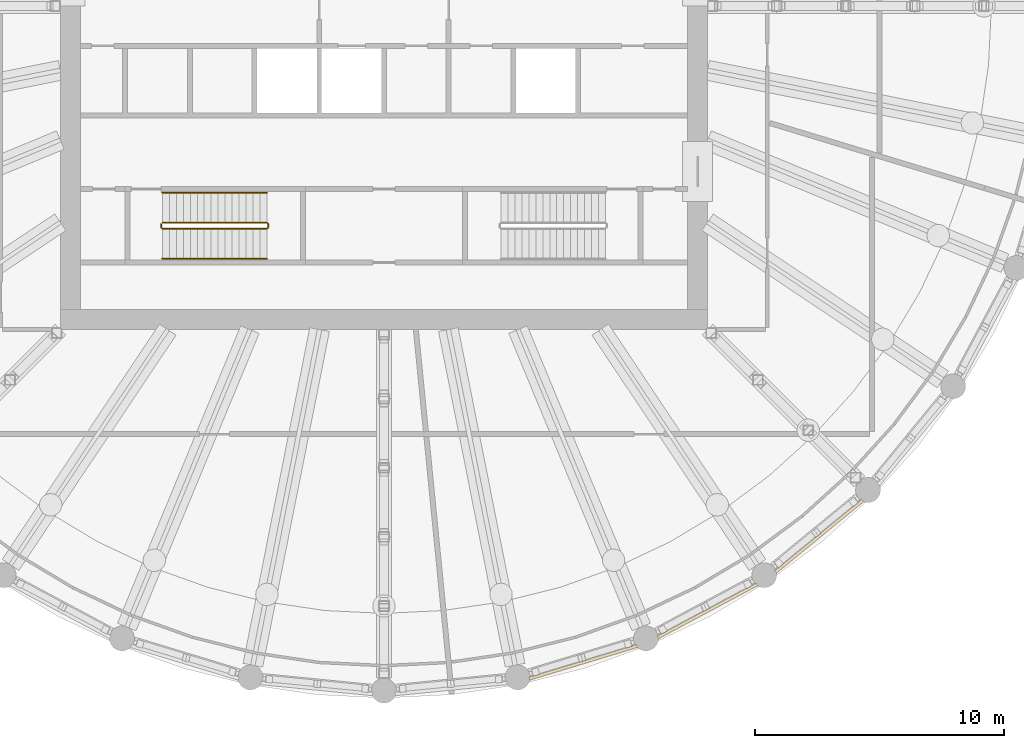
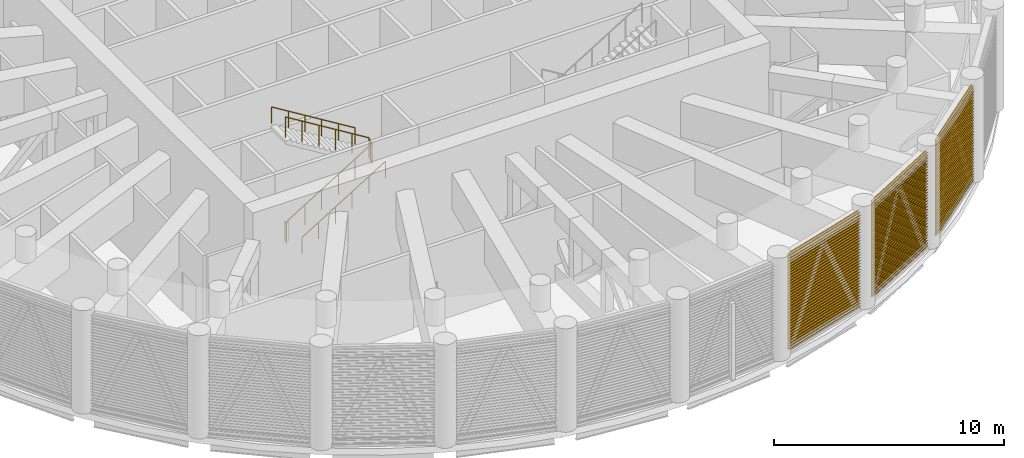
# One storey, part 19 of 24: 3 railings, 3 shading devices, 3 elements without a shape of their own.
"""IFC4 building model written with IfcOpenShell, lengths in metres."""

from ifc_helpers import new_model, si_unit, direction, frame, origin, origin_2d, place, context, subcontext, project, spatial, polyline, circle, outline, extrude, material, material_profile, profile_set, type_object, element, aggregate, save


model = new_model("IFC4")

# Units and contexts
model_context = context("Model", 3, precision=1e-05, world=origin(), true_north=direction((0.0, 1.0)))
body_context = subcontext(model_context, "Body", "Model", "MODEL_VIEW")
ifc_project = project(units=[si_unit("LENGTHUNIT", "METRE"), si_unit("AREAUNIT", "SQUARE_METRE"), si_unit("VOLUMEUNIT", "CUBIC_METRE"), si_unit("PLANEANGLEUNIT", "RADIAN"), si_unit("MASSUNIT", "GRAM", prefix="KILO")], contexts=[model_context])

# Site, building, storey
site_placement = place(None, origin())
site = spatial("IfcSite", under=ifc_project, at=site_placement, CompositionType="ELEMENT")
building_placement = place(site_placement, origin())
building = spatial("IfcBuilding", under=site, at=building_placement, Name="Corvane Civic Tower", CompositionType="ELEMENT")
storey_placement = place(building_placement, frame((0.0, 0.0, 257.5)))
storey = spatial("IfcBuildingStorey", under=building, at=storey_placement, Name="L61", CompositionType="ELEMENT", Elevation=257.5)

# Railings
ifc_material_1 = material(Name="Steel ASTM A572 Gr 50", Category="steel")
railing_type_1 = type_object("IfcRailingType", Name="ST-GUARD-1100", PredefinedType="GUARDRAIL", material=ifc_material_1)
railing_1_placement = place(storey_placement, frame((-8.949951171875, -8.75, 0.0)))
element("IfcRailing", 1, at=railing_1_placement, inside=storey, type_object=railing_type_1, Name="L61 ST3 stair guard 1", PredefinedType="GUARDRAIL", context=body_context, shape_type="SweptSolid", body=[
    extrude(circle(Radius=0.02392578125, at=origin_2d()), frame((0.0, 0.0, 1.076171875), z_axis=(0.0, -1.0, 0.0), x_axis=(1.0, 0.0, 0.0)), (0.0, 0.0, 1.0), 0.14990234375),
    extrude(circle(Radius=0.02392578125, at=origin_2d()), frame((0.0, -0.14990234375, 1.076171875), z_axis=(0.269255725606, -0.269255725606, 0.92466356501), x_axis=(0.707106781187, 0.707106781187, 0.0)), (0.0, 0.0, 1.0), 0.185791015625),
    extrude(circle(Radius=0.02392578125, at=origin_2d()), frame((0.050048828125, -0.199951171875, 1.248046875), z_axis=(0.852242915053, 0.0, 0.523146264196), x_axis=(0.0, 1.0, 0.0)), (0.0, 0.0, 1.0), 4.92822265625),
    extrude(circle(Radius=0.02392578125, at=origin_2d()), frame((4.25, -0.199951171875, 3.826171875), z_axis=(0.707106781187, 0.707106781187, 0.0), x_axis=(-0.707106781187, 0.707106781187, 0.0)), (0.0, 0.0, 1.0), 0.07080078125),
    extrude(circle(Radius=0.02392578125, at=origin_2d()), frame((4.300048828125, -0.14990234375, 3.826171875), z_axis=(0.0, 1.0, 0.0), x_axis=(-1.0, 0.0, 0.0)), (0.0, 0.0, 1.0), 0.14990234375),
    extrude(circle(Radius=0.02392578125, at=origin_2d()), frame((4.300048828125, 0.0, 3.826171875), z_axis=(-0.269255725606, 0.269255725606, 0.92466356501), x_axis=(-0.707106781187, -0.707106781187, 0.0)), (0.0, 0.0, 1.0), 0.185791015625),
    extrude(circle(Radius=0.02392578125, at=origin_2d()), frame((4.25, 0.050048828125, 3.998046875), z_axis=(-0.852242915053, 0.0, 0.523146264196), x_axis=(0.0, -1.0, 0.0)), (0.0, 0.0, 1.0), 4.92822265625),
    extrude(circle(Radius=0.02099609375, at=origin_2d()), origin(), (0.0, 0.0, 1.0), 1.052001953125),
    extrude(circle(Radius=0.02099609375, at=origin_2d()), frame((0.0, -0.14990234375, 0.0)), (0.0, 0.0, 1.0), 1.052001953125),
    extrude(circle(Radius=0.02099609375, at=origin_2d()), frame((0.050048828125, -0.199951171875, 0.171875)), (0.0, 0.0, 1.0), 1.052001953125),
    extrude(circle(Radius=0.02099609375, at=origin_2d()), frame((0.89013671875, -0.199951171875, 0.6875)), (0.0, 0.0, 1.0), 1.052001953125),
    extrude(circle(Radius=0.02099609375, at=origin_2d()), frame((1.72998046875, -0.199951171875, 1.203125)), (0.0, 0.0, 1.0), 1.052001953125),
    extrude(circle(Radius=0.02099609375, at=origin_2d()), frame((2.570068359375, -0.199951171875, 1.71875)), (0.0, 0.0, 1.0), 1.052001953125),
    extrude(circle(Radius=0.02099609375, at=origin_2d()), frame((3.409912109375, -0.199951171875, 2.234375)), (0.0, 0.0, 1.0), 1.052001953125),
    extrude(circle(Radius=0.02099609375, at=origin_2d()), frame((4.25, -0.199951171875, 2.75)), (0.0, 0.0, 1.0), 1.052001953125),
    extrude(circle(Radius=0.02099609375, at=origin_2d()), frame((4.300048828125, -0.14990234375, 2.75)), (0.0, 0.0, 1.0), 1.052001953125),
    extrude(circle(Radius=0.02099609375, at=origin_2d()), frame((4.300048828125, 0.0, 2.75)), (0.0, 0.0, 1.0), 1.052001953125),
    extrude(circle(Radius=0.02099609375, at=origin_2d()), frame((4.25, 0.050048828125, 2.921875)), (0.0, 0.0, 1.0), 1.052001953125),
    extrude(circle(Radius=0.02099609375, at=origin_2d()), frame((3.409912109375, 0.050048828125, 3.4375)), (0.0, 0.0, 1.0), 1.052001953125),
    extrude(circle(Radius=0.02099609375, at=origin_2d()), frame((2.570068359375, 0.050048828125, 3.953125)), (0.0, 0.0, 1.0), 1.052001953125),
    extrude(circle(Radius=0.02099609375, at=origin_2d()), frame((1.72998046875, 0.050048828125, 4.46875)), (0.0, 0.0, 1.0), 1.052001953125),
    extrude(circle(Radius=0.02099609375, at=origin_2d()), frame((0.89013671875, 0.050048828125, 4.984375)), (0.0, 0.0, 1.0), 1.052001953125),
    extrude(circle(Radius=0.02099609375, at=origin_2d()), frame((0.050048828125, 0.050048828125, 5.5)), (0.0, 0.0, 1.0), 1.052001953125),
])
ifc_material_2 = material(Name="Steel ASTM A572 Gr 50", Category="steel")
railing_type_2 = type_object("IfcRailingType", Name="ST-HANDRAIL-900", PredefinedType="HANDRAIL", material=ifc_material_2)
railing_2_placement = place(storey_placement, frame((-8.89990234375, -10.14990234375, 0.171875)))
element("IfcRailing", 2, at=railing_2_placement, inside=storey, type_object=railing_type_2, Name="L61 ST3 stair handrail 1", PredefinedType="HANDRAIL", context=body_context, shape_type="SweptSolid", body=[
    extrude(circle(Radius=0.02392578125, at=origin_2d()), frame((0.0, 0.0, 0.8759765625), z_axis=(0.852242915053, 0.0, 0.523146264196), x_axis=(0.0, 1.0, 0.0)), (0.0, 0.0, 1.0), 4.92822265625),
    extrude(circle(Radius=0.02099609375, at=origin_2d()), origin(), (0.0, 0.0, 1.0), 0.851806640625),
    extrude(circle(Radius=0.02099609375, at=origin_2d()), frame((0.840087890625, 0.0, 0.515625)), (0.0, 0.0, 1.0), 0.851806640625),
    extrude(circle(Radius=0.02099609375, at=origin_2d()), frame((1.679931640625, 0.0, 1.03125)), (0.0, 0.0, 1.0), 0.851806640625),
    extrude(circle(Radius=0.02099609375, at=origin_2d()), frame((2.52001953125, 0.0, 1.546875)), (0.0, 0.0, 1.0), 0.851806640625),
    extrude(circle(Radius=0.02099609375, at=origin_2d()), frame((3.35986328125, 0.0, 2.0625)), (0.0, 0.0, 1.0), 0.851806640625),
    extrude(circle(Radius=0.02099609375, at=origin_2d()), frame((4.199951171875, 0.0, 2.578125)), (0.0, 0.0, 1.0), 0.851806640625),
])
railing_3_placement = place(storey_placement, frame((-4.699951171875, -7.5, 2.921875)))
element("IfcRailing", 3, at=railing_3_placement, inside=storey, type_object=railing_type_2, Name="L61 ST3 stair handrail 2", PredefinedType="HANDRAIL", context=body_context, shape_type="SweptSolid", body=[
    extrude(circle(Radius=0.02392578125, at=origin_2d()), frame((0.0, 0.0, 0.8759765625), z_axis=(-0.852242915053, 0.0, 0.523146264196), x_axis=(0.0, -1.0, 0.0)), (0.0, 0.0, 1.0), 4.92822265625),
    extrude(circle(Radius=0.02099609375, at=origin_2d()), origin(), (0.0, 0.0, 1.0), 0.851806640625),
    extrude(circle(Radius=0.02099609375, at=origin_2d()), frame((-0.840087890625, 0.0, 0.515625)), (0.0, 0.0, 1.0), 0.851806640625),
    extrude(circle(Radius=0.02099609375, at=origin_2d()), frame((-1.679931640625, 0.0, 1.03125)), (0.0, 0.0, 1.0), 0.851806640625),
    extrude(circle(Radius=0.02099609375, at=origin_2d()), frame((-2.52001953125, 0.0, 1.546875)), (0.0, 0.0, 1.0), 0.851806640625),
    extrude(circle(Radius=0.02099609375, at=origin_2d()), frame((-3.35986328125, 0.0, 2.0625)), (0.0, 0.0, 1.0), 0.851806640625),
    extrude(circle(Radius=0.02099609375, at=origin_2d()), frame((-4.199951171875, 0.0, 2.578125)), (0.0, 0.0, 1.0), 0.851806640625),
])

# Curtain wall, shading device
ifc_material_3 = material(Name="Anodised aluminium bronze", Category="aluminium")
curtain_wall_type = type_object("IfcCurtainWallType", Name="TOWER CW-LV LOUVRE SCREEN WALL", PredefinedType="NOTDEFINED", material=ifc_material_3)
curtain_wall_1_placement = place(storey_placement, origin())
curtain_wall_1 = element("IfcCurtainWall", 4, at=curtain_wall_1_placement, inside=storey, type_object=curtain_wall_type, Name="Louvre screen wall CW-LV L61 bay 13", PredefinedType="NOTDEFINED")
ifc_material_4 = material(Name="Anodised aluminium bronze", Category="aluminium")
ifc_material_profile = material_profile(ifc_material_4, outline(polyline([(-0.06005859375, -2.56494140625), (-0.0400390625, -2.56494140625), (0.06005859375, -2.492919921875), (0.06005859375, -2.472900390625), (-0.0400390625, -2.544921875), (-0.0400390625, -2.4140625), (0.06005859375, -2.342041015625), (0.06005859375, -2.322021484375), (-0.0400390625, -2.39404296875), (-0.0400390625, -2.26318359375), (0.06005859375, -2.191162109375), (0.06005859375, -2.171142578125), (-0.0400390625, -2.2431640625), (-0.0400390625, -2.1123046875), (0.06005859375, -2.040283203125), (0.06005859375, -2.0205078125), (-0.0400390625, -2.09228515625), (-0.0400390625, -1.96142578125), (0.06005859375, -1.889404296875), (0.06005859375, -1.869384765625), (-0.0400390625, -1.94140625), (-0.0400390625, -1.810546875), (0.06005859375, -1.738525390625), (0.06005859375, -1.718505859375), (-0.0400390625, -1.79052734375), (-0.0400390625, -1.65966796875), (0.06005859375, -1.587646484375), (0.06005859375, -1.567626953125), (-0.0400390625, -1.6396484375), (-0.0400390625, -1.5087890625), (0.06005859375, -1.436767578125), (0.06005859375, -1.416748046875), (-0.0400390625, -1.48876953125), (-0.0400390625, -1.35791015625), (0.06005859375, -1.285888671875), (0.06005859375, -1.265869140625), (-0.0400390625, -1.337890625), (-0.0400390625, -1.20703125), (0.06005859375, -1.135009765625), (0.06005859375, -1.114990234375), (-0.0400390625, -1.18701171875), (-0.0400390625, -1.05615234375), (0.06005859375, -0.984130859375), (0.06005859375, -0.964111328125), (-0.0400390625, -1.0361328125), (-0.0400390625, -0.9052734375), (0.06005859375, -0.833251953125), (0.06005859375, -0.813232421875), (-0.0400390625, -0.88525390625), (-0.0400390625, -0.75439453125), (0.06005859375, -0.682373046875), (0.06005859375, -0.662353515625), (-0.0400390625, -0.734375), (-0.0400390625, -0.603515625), (0.06005859375, -0.531494140625), (0.06005859375, -0.511474609375), (-0.0400390625, -0.58349609375), (-0.0400390625, -0.45263671875), (0.06005859375, -0.380615234375), (0.06005859375, -0.360595703125), (-0.0400390625, -0.4326171875), (-0.0400390625, -0.3017578125), (0.06005859375, -0.229736328125), (0.06005859375, -0.209716796875), (-0.0400390625, -0.28173828125), (-0.0400390625, -0.15087890625), (0.06005859375, -0.078857421875), (0.06005859375, -0.058837890625), (-0.0400390625, -0.130859375), (-0.0400390625, 0.0), (0.06005859375, 0.072021484375), (0.06005859375, 0.092041015625), (-0.0400390625, 0.02001953125), (-0.0400390625, 0.15087890625), (0.06005859375, 0.222900390625), (0.06005859375, 0.242919921875), (-0.0400390625, 0.1708984375), (-0.0400390625, 0.3017578125), (0.06005859375, 0.373779296875), (0.06005859375, 0.393798828125), (-0.0400390625, 0.32177734375), (-0.0400390625, 0.45263671875), (0.06005859375, 0.524658203125), (0.06005859375, 0.544677734375), (-0.0400390625, 0.47265625), (-0.0400390625, 0.603515625), (0.06005859375, 0.675537109375), (0.06005859375, 0.695556640625), (-0.0400390625, 0.62353515625), (-0.0400390625, 0.75439453125), (0.06005859375, 0.826416015625), (0.06005859375, 0.846435546875), (-0.0400390625, 0.7744140625), (-0.0400390625, 0.9052734375), (0.06005859375, 0.977294921875), (0.06005859375, 0.997314453125), (-0.0400390625, 0.92529296875), (-0.0400390625, 1.05615234375), (0.06005859375, 1.128173828125), (0.06005859375, 1.148193359375), (-0.0400390625, 1.076171875), (-0.0400390625, 1.20703125), (0.06005859375, 1.279052734375), (0.06005859375, 1.299072265625), (-0.0400390625, 1.22705078125), (-0.0400390625, 1.35791015625), (0.06005859375, 1.429931640625), (0.06005859375, 1.449951171875), (-0.0400390625, 1.3779296875), (-0.0400390625, 1.5087890625), (0.06005859375, 1.580810546875), (0.06005859375, 1.600830078125), (-0.0400390625, 1.52880859375), (-0.0400390625, 1.65966796875), (0.06005859375, 1.731689453125), (0.06005859375, 1.751708984375), (-0.0400390625, 1.6796875), (-0.0400390625, 1.810546875), (0.06005859375, 1.882568359375), (0.06005859375, 1.902587890625), (-0.0400390625, 1.83056640625), (-0.0400390625, 1.96142578125), (0.06005859375, 2.033447265625), (0.06005859375, 2.053466796875), (-0.0400390625, 1.9814453125), (-0.0400390625, 2.1123046875), (0.06005859375, 2.184326171875), (0.06005859375, 2.204345703125), (-0.0400390625, 2.13232421875), (-0.0400390625, 2.26318359375), (0.06005859375, 2.335205078125), (0.06005859375, 2.355224609375), (-0.0400390625, 2.283203125), (-0.0400390625, 2.4140625), (0.06005859375, 2.486083984375), (0.06005859375, 2.506103515625), (-0.0400390625, 2.43408203125), (-0.0400390625, 2.56494140625), (-0.06005859375, 2.56494140625), (-0.06005859375, -2.56494140625)])), Name="TOWER LOUVRE BANK 5130 BRONZE")
ifc_profile_set = profile_set([ifc_material_profile], Name="Anodised aluminium bronze")
shading_device_type = type_object("IfcShadingDeviceType", Name="TOWER LOUVRE BANK 5130 BRONZE", PredefinedType="USERDEFINED", material=ifc_profile_set)
shading_device_1_placement = place(storey_placement, frame((19.221435546875, -19.861083984375, 2.68505859375), z_axis=(-0.773014925698, -0.634387834569, 0.0), x_axis=(0.634387834569, -0.773014925698, 0.0)))
shading_device_1 = element("IfcShadingDevice", 5, at=shading_device_1_placement, type_object=shading_device_type, Name="Louvre bank L61 13.1", ObjectType="LOUVRE", PredefinedType="USERDEFINED", context=body_context, shape_type="SweptSolid", body=[
    extrude(outline(polyline([(-0.06005859375, -2.56494140625), (-0.0400390625, -2.56494140625), (0.06005859375, -2.492919921875), (0.06005859375, -2.472900390625), (-0.0400390625, -2.544921875), (-0.0400390625, -2.4140625), (0.06005859375, -2.342041015625), (0.06005859375, -2.322021484375), (-0.0400390625, -2.39404296875), (-0.0400390625, -2.26318359375), (0.06005859375, -2.191162109375), (0.06005859375, -2.171142578125), (-0.0400390625, -2.2431640625), (-0.0400390625, -2.1123046875), (0.06005859375, -2.040283203125), (0.06005859375, -2.0205078125), (-0.0400390625, -2.09228515625), (-0.0400390625, -1.96142578125), (0.06005859375, -1.889404296875), (0.06005859375, -1.869384765625), (-0.0400390625, -1.94140625), (-0.0400390625, -1.810546875), (0.06005859375, -1.738525390625), (0.06005859375, -1.718505859375), (-0.0400390625, -1.79052734375), (-0.0400390625, -1.65966796875), (0.06005859375, -1.587646484375), (0.06005859375, -1.567626953125), (-0.0400390625, -1.6396484375), (-0.0400390625, -1.5087890625), (0.06005859375, -1.436767578125), (0.06005859375, -1.416748046875), (-0.0400390625, -1.48876953125), (-0.0400390625, -1.35791015625), (0.06005859375, -1.285888671875), (0.06005859375, -1.265869140625), (-0.0400390625, -1.337890625), (-0.0400390625, -1.20703125), (0.06005859375, -1.135009765625), (0.06005859375, -1.114990234375), (-0.0400390625, -1.18701171875), (-0.0400390625, -1.05615234375), (0.06005859375, -0.984130859375), (0.06005859375, -0.964111328125), (-0.0400390625, -1.0361328125), (-0.0400390625, -0.9052734375), (0.06005859375, -0.833251953125), (0.06005859375, -0.813232421875), (-0.0400390625, -0.88525390625), (-0.0400390625, -0.75439453125), (0.06005859375, -0.682373046875), (0.06005859375, -0.662353515625), (-0.0400390625, -0.734375), (-0.0400390625, -0.603515625), (0.06005859375, -0.531494140625), (0.06005859375, -0.511474609375), (-0.0400390625, -0.58349609375), (-0.0400390625, -0.45263671875), (0.06005859375, -0.380615234375), (0.06005859375, -0.360595703125), (-0.0400390625, -0.4326171875), (-0.0400390625, -0.3017578125), (0.06005859375, -0.229736328125), (0.06005859375, -0.209716796875), (-0.0400390625, -0.28173828125), (-0.0400390625, -0.15087890625), (0.06005859375, -0.078857421875), (0.06005859375, -0.058837890625), (-0.0400390625, -0.130859375), (-0.0400390625, 0.0), (0.06005859375, 0.072021484375), (0.06005859375, 0.092041015625), (-0.0400390625, 0.02001953125), (-0.0400390625, 0.15087890625), (0.06005859375, 0.222900390625), (0.06005859375, 0.242919921875), (-0.0400390625, 0.1708984375), (-0.0400390625, 0.3017578125), (0.06005859375, 0.373779296875), (0.06005859375, 0.393798828125), (-0.0400390625, 0.32177734375), (-0.0400390625, 0.45263671875), (0.06005859375, 0.524658203125), (0.06005859375, 0.544677734375), (-0.0400390625, 0.47265625), (-0.0400390625, 0.603515625), (0.06005859375, 0.675537109375), (0.06005859375, 0.695556640625), (-0.0400390625, 0.62353515625), (-0.0400390625, 0.75439453125), (0.06005859375, 0.826416015625), (0.06005859375, 0.846435546875), (-0.0400390625, 0.7744140625), (-0.0400390625, 0.9052734375), (0.06005859375, 0.977294921875), (0.06005859375, 0.997314453125), (-0.0400390625, 0.92529296875), (-0.0400390625, 1.05615234375), (0.06005859375, 1.128173828125), (0.06005859375, 1.148193359375), (-0.0400390625, 1.076171875), (-0.0400390625, 1.20703125), (0.06005859375, 1.279052734375), (0.06005859375, 1.299072265625), (-0.0400390625, 1.22705078125), (-0.0400390625, 1.35791015625), (0.06005859375, 1.429931640625), (0.06005859375, 1.449951171875), (-0.0400390625, 1.3779296875), (-0.0400390625, 1.5087890625), (0.06005859375, 1.580810546875), (0.06005859375, 1.600830078125), (-0.0400390625, 1.52880859375), (-0.0400390625, 1.65966796875), (0.06005859375, 1.731689453125), (0.06005859375, 1.751708984375), (-0.0400390625, 1.6796875), (-0.0400390625, 1.810546875), (0.06005859375, 1.882568359375), (0.06005859375, 1.902587890625), (-0.0400390625, 1.83056640625), (-0.0400390625, 1.96142578125), (0.06005859375, 2.033447265625), (0.06005859375, 2.053466796875), (-0.0400390625, 1.9814453125), (-0.0400390625, 2.1123046875), (0.06005859375, 2.184326171875), (0.06005859375, 2.204345703125), (-0.0400390625, 2.13232421875), (-0.0400390625, 2.26318359375), (0.06005859375, 2.335205078125), (0.06005859375, 2.355224609375), (-0.0400390625, 2.283203125), (-0.0400390625, 2.4140625), (0.06005859375, 2.486083984375), (0.06005859375, 2.506103515625), (-0.0400390625, 2.43408203125), (-0.0400390625, 2.56494140625), (-0.06005859375, 2.56494140625), (-0.06005859375, -2.56494140625)])), origin(), (0.0, 0.0, 1.0), 4.517333984375),
])
aggregate(curtain_wall_1, [shading_device_1])

curtain_wall_2_placement = place(storey_placement, origin())
curtain_wall_2 = element("IfcCurtainWall", 6, at=curtain_wall_2_placement, inside=storey, type_object=curtain_wall_type, Name="Louvre screen wall CW-LV L61 bay 14", PredefinedType="NOTDEFINED")
shading_device_2_placement = place(storey_placement, frame((14.977294921875, -23.2294921875, 2.68505859375), z_axis=(-0.881924695689, -0.471390317183, 0.0), x_axis=(0.471390317183, -0.881924695689, 0.0)))
shading_device_2 = element("IfcShadingDevice", 7, at=shading_device_2_placement, type_object=shading_device_type, Name="Louvre bank L61 14.1", ObjectType="LOUVRE", PredefinedType="USERDEFINED", context=body_context, shape_type="SweptSolid", body=[
    extrude(outline(polyline([(-0.06005859375, -2.56494140625), (-0.0400390625, -2.56494140625), (0.06005859375, -2.492919921875), (0.06005859375, -2.472900390625), (-0.0400390625, -2.544921875), (-0.0400390625, -2.4140625), (0.06005859375, -2.342041015625), (0.06005859375, -2.322021484375), (-0.0400390625, -2.39404296875), (-0.0400390625, -2.26318359375), (0.06005859375, -2.191162109375), (0.06005859375, -2.171142578125), (-0.0400390625, -2.2431640625), (-0.0400390625, -2.1123046875), (0.06005859375, -2.040283203125), (0.06005859375, -2.0205078125), (-0.0400390625, -2.09228515625), (-0.0400390625, -1.96142578125), (0.06005859375, -1.889404296875), (0.06005859375, -1.869384765625), (-0.0400390625, -1.94140625), (-0.0400390625, -1.810546875), (0.06005859375, -1.738525390625), (0.06005859375, -1.718505859375), (-0.0400390625, -1.79052734375), (-0.0400390625, -1.65966796875), (0.06005859375, -1.587646484375), (0.06005859375, -1.567626953125), (-0.0400390625, -1.6396484375), (-0.0400390625, -1.5087890625), (0.06005859375, -1.436767578125), (0.06005859375, -1.416748046875), (-0.0400390625, -1.48876953125), (-0.0400390625, -1.35791015625), (0.06005859375, -1.285888671875), (0.06005859375, -1.265869140625), (-0.0400390625, -1.337890625), (-0.0400390625, -1.20703125), (0.06005859375, -1.135009765625), (0.06005859375, -1.114990234375), (-0.0400390625, -1.18701171875), (-0.0400390625, -1.05615234375), (0.06005859375, -0.984130859375), (0.06005859375, -0.964111328125), (-0.0400390625, -1.0361328125), (-0.0400390625, -0.9052734375), (0.06005859375, -0.833251953125), (0.06005859375, -0.813232421875), (-0.0400390625, -0.88525390625), (-0.0400390625, -0.75439453125), (0.06005859375, -0.682373046875), (0.06005859375, -0.662353515625), (-0.0400390625, -0.734375), (-0.0400390625, -0.603515625), (0.06005859375, -0.531494140625), (0.06005859375, -0.511474609375), (-0.0400390625, -0.58349609375), (-0.0400390625, -0.45263671875), (0.06005859375, -0.380615234375), (0.06005859375, -0.360595703125), (-0.0400390625, -0.4326171875), (-0.0400390625, -0.3017578125), (0.06005859375, -0.229736328125), (0.06005859375, -0.209716796875), (-0.0400390625, -0.28173828125), (-0.0400390625, -0.15087890625), (0.06005859375, -0.078857421875), (0.06005859375, -0.058837890625), (-0.0400390625, -0.130859375), (-0.0400390625, 0.0), (0.06005859375, 0.072021484375), (0.06005859375, 0.092041015625), (-0.0400390625, 0.02001953125), (-0.0400390625, 0.15087890625), (0.06005859375, 0.222900390625), (0.06005859375, 0.242919921875), (-0.0400390625, 0.1708984375), (-0.0400390625, 0.3017578125), (0.06005859375, 0.373779296875), (0.06005859375, 0.393798828125), (-0.0400390625, 0.32177734375), (-0.0400390625, 0.45263671875), (0.06005859375, 0.524658203125), (0.06005859375, 0.544677734375), (-0.0400390625, 0.47265625), (-0.0400390625, 0.603515625), (0.06005859375, 0.675537109375), (0.06005859375, 0.695556640625), (-0.0400390625, 0.62353515625), (-0.0400390625, 0.75439453125), (0.06005859375, 0.826416015625), (0.06005859375, 0.846435546875), (-0.0400390625, 0.7744140625), (-0.0400390625, 0.9052734375), (0.06005859375, 0.977294921875), (0.06005859375, 0.997314453125), (-0.0400390625, 0.92529296875), (-0.0400390625, 1.05615234375), (0.06005859375, 1.128173828125), (0.06005859375, 1.148193359375), (-0.0400390625, 1.076171875), (-0.0400390625, 1.20703125), (0.06005859375, 1.279052734375), (0.06005859375, 1.299072265625), (-0.0400390625, 1.22705078125), (-0.0400390625, 1.35791015625), (0.06005859375, 1.429931640625), (0.06005859375, 1.449951171875), (-0.0400390625, 1.3779296875), (-0.0400390625, 1.5087890625), (0.06005859375, 1.580810546875), (0.06005859375, 1.600830078125), (-0.0400390625, 1.52880859375), (-0.0400390625, 1.65966796875), (0.06005859375, 1.731689453125), (0.06005859375, 1.751708984375), (-0.0400390625, 1.6796875), (-0.0400390625, 1.810546875), (0.06005859375, 1.882568359375), (0.06005859375, 1.902587890625), (-0.0400390625, 1.83056640625), (-0.0400390625, 1.96142578125), (0.06005859375, 2.033447265625), (0.06005859375, 2.053466796875), (-0.0400390625, 1.9814453125), (-0.0400390625, 2.1123046875), (0.06005859375, 2.184326171875), (0.06005859375, 2.204345703125), (-0.0400390625, 2.13232421875), (-0.0400390625, 2.26318359375), (0.06005859375, 2.335205078125), (0.06005859375, 2.355224609375), (-0.0400390625, 2.283203125), (-0.0400390625, 2.4140625), (0.06005859375, 2.486083984375), (0.06005859375, 2.506103515625), (-0.0400390625, 2.43408203125), (-0.0400390625, 2.56494140625), (-0.06005859375, 2.56494140625), (-0.06005859375, -2.56494140625)])), origin(), (0.0, 0.0, 1.0), 4.517333984375),
])
aggregate(curtain_wall_2, [shading_device_2])

curtain_wall_3_placement = place(storey_placement, origin())
curtain_wall_3 = element("IfcCurtainWall", 8, at=curtain_wall_3_placement, inside=storey, type_object=curtain_wall_type, Name="Louvre screen wall CW-LV L61 bay 15", PredefinedType="NOTDEFINED")
shading_device_3_placement = place(storey_placement, frame((10.15771484375, -25.705078125, 2.68505859375), z_axis=(-0.956941182173, -0.2902818869, 0.0), x_axis=(0.2902818869, -0.956941182173, 0.0)))
shading_device_3 = element("IfcShadingDevice", 9, at=shading_device_3_placement, type_object=shading_device_type, Name="Louvre bank L61 15.1", ObjectType="LOUVRE", PredefinedType="USERDEFINED", context=body_context, shape_type="SweptSolid", body=[
    extrude(outline(polyline([(-0.06005859375, -2.56494140625), (-0.0400390625, -2.56494140625), (0.06005859375, -2.492919921875), (0.06005859375, -2.472900390625), (-0.0400390625, -2.544921875), (-0.0400390625, -2.4140625), (0.06005859375, -2.342041015625), (0.06005859375, -2.322021484375), (-0.0400390625, -2.39404296875), (-0.0400390625, -2.26318359375), (0.06005859375, -2.191162109375), (0.06005859375, -2.171142578125), (-0.0400390625, -2.2431640625), (-0.0400390625, -2.1123046875), (0.06005859375, -2.040283203125), (0.06005859375, -2.0205078125), (-0.0400390625, -2.09228515625), (-0.0400390625, -1.96142578125), (0.06005859375, -1.889404296875), (0.06005859375, -1.869384765625), (-0.0400390625, -1.94140625), (-0.0400390625, -1.810546875), (0.06005859375, -1.738525390625), (0.06005859375, -1.718505859375), (-0.0400390625, -1.79052734375), (-0.0400390625, -1.65966796875), (0.06005859375, -1.587646484375), (0.06005859375, -1.567626953125), (-0.0400390625, -1.6396484375), (-0.0400390625, -1.5087890625), (0.06005859375, -1.436767578125), (0.06005859375, -1.416748046875), (-0.0400390625, -1.48876953125), (-0.0400390625, -1.35791015625), (0.06005859375, -1.285888671875), (0.06005859375, -1.265869140625), (-0.0400390625, -1.337890625), (-0.0400390625, -1.20703125), (0.06005859375, -1.135009765625), (0.06005859375, -1.114990234375), (-0.0400390625, -1.18701171875), (-0.0400390625, -1.05615234375), (0.06005859375, -0.984130859375), (0.06005859375, -0.964111328125), (-0.0400390625, -1.0361328125), (-0.0400390625, -0.9052734375), (0.06005859375, -0.833251953125), (0.06005859375, -0.813232421875), (-0.0400390625, -0.88525390625), (-0.0400390625, -0.75439453125), (0.06005859375, -0.682373046875), (0.06005859375, -0.662353515625), (-0.0400390625, -0.734375), (-0.0400390625, -0.603515625), (0.06005859375, -0.531494140625), (0.06005859375, -0.511474609375), (-0.0400390625, -0.58349609375), (-0.0400390625, -0.45263671875), (0.06005859375, -0.380615234375), (0.06005859375, -0.360595703125), (-0.0400390625, -0.4326171875), (-0.0400390625, -0.3017578125), (0.06005859375, -0.229736328125), (0.06005859375, -0.209716796875), (-0.0400390625, -0.28173828125), (-0.0400390625, -0.15087890625), (0.06005859375, -0.078857421875), (0.06005859375, -0.058837890625), (-0.0400390625, -0.130859375), (-0.0400390625, 0.0), (0.06005859375, 0.072021484375), (0.06005859375, 0.092041015625), (-0.0400390625, 0.02001953125), (-0.0400390625, 0.15087890625), (0.06005859375, 0.222900390625), (0.06005859375, 0.242919921875), (-0.0400390625, 0.1708984375), (-0.0400390625, 0.3017578125), (0.06005859375, 0.373779296875), (0.06005859375, 0.393798828125), (-0.0400390625, 0.32177734375), (-0.0400390625, 0.45263671875), (0.06005859375, 0.524658203125), (0.06005859375, 0.544677734375), (-0.0400390625, 0.47265625), (-0.0400390625, 0.603515625), (0.06005859375, 0.675537109375), (0.06005859375, 0.695556640625), (-0.0400390625, 0.62353515625), (-0.0400390625, 0.75439453125), (0.06005859375, 0.826416015625), (0.06005859375, 0.846435546875), (-0.0400390625, 0.7744140625), (-0.0400390625, 0.9052734375), (0.06005859375, 0.977294921875), (0.06005859375, 0.997314453125), (-0.0400390625, 0.92529296875), (-0.0400390625, 1.05615234375), (0.06005859375, 1.128173828125), (0.06005859375, 1.148193359375), (-0.0400390625, 1.076171875), (-0.0400390625, 1.20703125), (0.06005859375, 1.279052734375), (0.06005859375, 1.299072265625), (-0.0400390625, 1.22705078125), (-0.0400390625, 1.35791015625), (0.06005859375, 1.429931640625), (0.06005859375, 1.449951171875), (-0.0400390625, 1.3779296875), (-0.0400390625, 1.5087890625), (0.06005859375, 1.580810546875), (0.06005859375, 1.600830078125), (-0.0400390625, 1.52880859375), (-0.0400390625, 1.65966796875), (0.06005859375, 1.731689453125), (0.06005859375, 1.751708984375), (-0.0400390625, 1.6796875), (-0.0400390625, 1.810546875), (0.06005859375, 1.882568359375), (0.06005859375, 1.902587890625), (-0.0400390625, 1.83056640625), (-0.0400390625, 1.96142578125), (0.06005859375, 2.033447265625), (0.06005859375, 2.053466796875), (-0.0400390625, 1.9814453125), (-0.0400390625, 2.1123046875), (0.06005859375, 2.184326171875), (0.06005859375, 2.204345703125), (-0.0400390625, 2.13232421875), (-0.0400390625, 2.26318359375), (0.06005859375, 2.335205078125), (0.06005859375, 2.355224609375), (-0.0400390625, 2.283203125), (-0.0400390625, 2.4140625), (0.06005859375, 2.486083984375), (0.06005859375, 2.506103515625), (-0.0400390625, 2.43408203125), (-0.0400390625, 2.56494140625), (-0.06005859375, 2.56494140625), (-0.06005859375, -2.56494140625)])), origin(), (0.0, 0.0, 1.0), 4.517333984375),
])
aggregate(curtain_wall_3, [shading_device_3])

save(model, "model.ifc")
